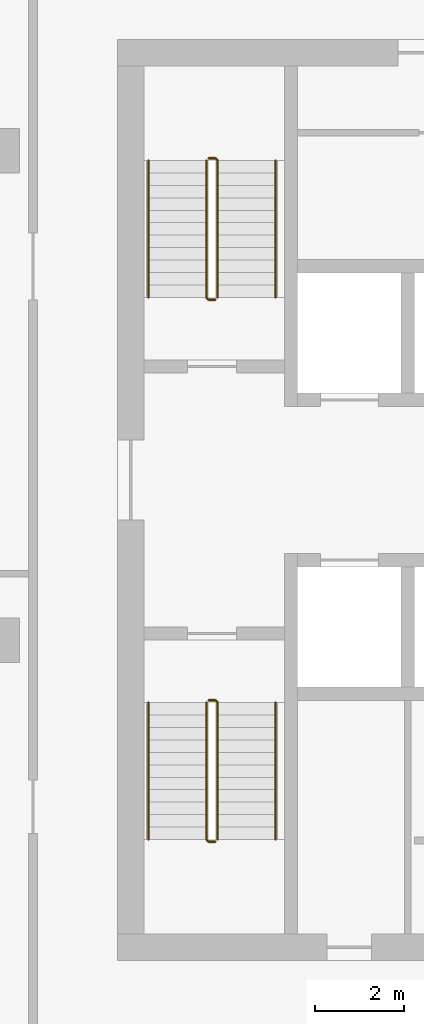
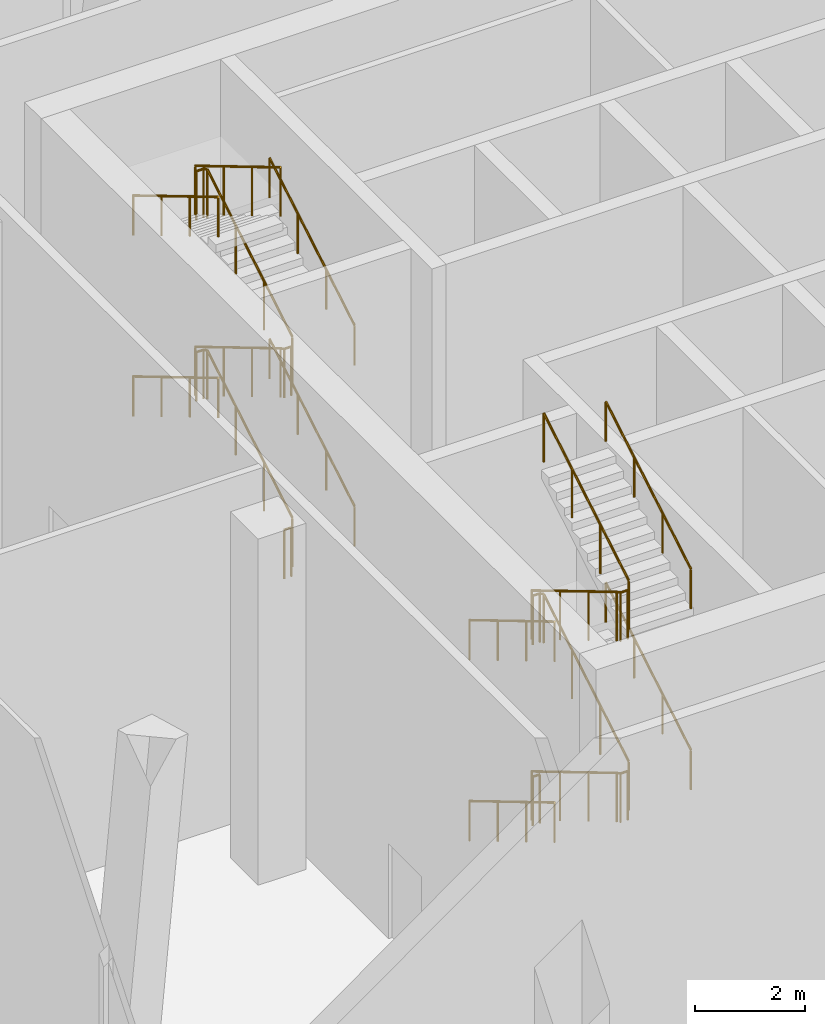
# One storey, part 10 of 13: 18 railings.
"""IFC4 building model written with IfcOpenShell, lengths in metres."""

from ifc_helpers import new_model, si_unit, direction, frame, origin, origin_2d, place, context, subcontext, project, spatial, circle, extrude, material, type_object, element, save


model = new_model("IFC4")

# Units and contexts
model_context = context("Model", 3, precision=1e-05, world=origin(), true_north=direction((0.0, 1.0)))
body_context = subcontext(model_context, "Body", "Model", "MODEL_VIEW")
ifc_project = project(units=[si_unit("LENGTHUNIT", "METRE"), si_unit("AREAUNIT", "SQUARE_METRE"), si_unit("VOLUMEUNIT", "CUBIC_METRE"), si_unit("PLANEANGLEUNIT", "RADIAN"), si_unit("MASSUNIT", "GRAM", prefix="KILO")], contexts=[model_context])

# Site, building, storey
site_placement = place(None, origin())
site = spatial("IfcSite", under=ifc_project, at=site_placement, CompositionType="ELEMENT")
building_placement = place(site_placement, origin())
building = spatial("IfcBuilding", under=site, at=building_placement, Name="Mopane Tessera Tower", CompositionType="ELEMENT")
storey_placement = place(building_placement, frame((0.0, 0.0, 337.39990234375)))
storey = spatial("IfcBuildingStorey", under=building, at=storey_placement, Name="L74", CompositionType="ELEMENT", Elevation=337.39990234375)

# Railings
ifc_material_1 = material(Name="Powder-coated steel balustrade", Category="steel")
railing_type_1 = type_object("IfcRailingType", Name="Escape stair guard 1100 mm", PredefinedType="GUARDRAIL", material=ifc_material_1)
railing_1_placement = place(storey_placement, frame((-12.39990234375, -1.39990234375, 0.166748046875)))
element("IfcRailing", 1, at=railing_1_placement, inside=storey, type_object=railing_type_1, Name="L74 ST1 stair guard 1", PredefinedType="GUARDRAIL", context=body_context, shape_type="SweptSolid", body=[
    extrude(circle(Radius=0.02392578125, at=origin_2d()), frame((0.0, 0.0, 1.076171875), z_axis=(0.0, -0.859308565015, 0.511457515432), x_axis=(1.0, 0.0, 0.0)), (0.0, 0.0, 1.0), 3.58447265625),
    extrude(circle(Radius=0.02392578125, at=origin_2d()), frame((0.0, -3.080078125, 2.9091796875), z_axis=(0.705375805398, -0.708833529934, 0.0), x_axis=(0.708833529934, 0.705375805398, 0.0)), (0.0, 0.0, 1.0), 0.070556640625),
    extrude(circle(Radius=0.02392578125, at=origin_2d()), frame((0.0498046875, -3.130126953125, 2.9091796875), z_axis=(1.0, 0.0, 0.0), x_axis=(0.0, 1.0, 0.0)), (0.0, 0.0, 1.0), 0.150146484375),
    extrude(circle(Radius=0.02099609375, at=origin_2d()), origin(), (0.0, 0.0, 1.0), 1.052001953125),
    extrude(circle(Radius=0.02099609375, at=origin_2d()), frame((0.0, -1.026611328125, 0.611083984375)), (0.0, 0.0, 1.0), 1.052001953125),
    extrude(circle(Radius=0.02099609375, at=origin_2d()), frame((0.0, -2.053466796875, 1.22216796875)), (0.0, 0.0, 1.0), 1.052001953125),
    extrude(circle(Radius=0.02099609375, at=origin_2d()), frame((0.0, -3.080078125, 1.833251953125)), (0.0, 0.0, 1.0), 1.052001953125),
    extrude(circle(Radius=0.02099609375, at=origin_2d()), frame((0.0498046875, -3.130126953125, 1.833251953125)), (0.0, 0.0, 1.0), 1.052001953125),
    extrude(circle(Radius=0.02099609375, at=origin_2d()), frame((0.199951171875, -3.130126953125, 1.833251953125)), (0.0, 0.0, 1.0), 1.052001953125),
])
railing_2_placement = place(storey_placement, frame((-12.14990234375, -4.47998046875, 2.166748046875)))
element("IfcRailing", 2, at=railing_2_placement, inside=storey, type_object=railing_type_1, Name="L74 ST1 stair guard 2", PredefinedType="GUARDRAIL", context=body_context, shape_type="SweptSolid", body=[
    extrude(circle(Radius=0.02392578125, at=origin_2d()), frame((0.0, 0.0, 1.076171875), z_axis=(0.0, 0.859308565015, 0.511457515432), x_axis=(-1.0, 0.0, 0.0)), (0.0, 0.0, 1.0), 3.58447265625),
    extrude(circle(Radius=0.02392578125, at=origin_2d()), frame((0.0, 3.080078125, 2.9091796875), z_axis=(-0.708833529934, 0.705375805398, 0.0), x_axis=(-0.705375805398, -0.708833529934, 0.0)), (0.0, 0.0, 1.0), 0.070556640625),
    extrude(circle(Radius=0.02392578125, at=origin_2d()), frame((-0.050048828125, 3.1298828125, 2.9091796875), z_axis=(-1.0, 0.0, 0.0), x_axis=(0.0, -1.0, 0.0)), (0.0, 0.0, 1.0), 0.150146484375),
    extrude(circle(Radius=0.02099609375, at=origin_2d()), origin(), (0.0, 0.0, 1.0), 1.052001953125),
    extrude(circle(Radius=0.02099609375, at=origin_2d()), frame((0.0, 1.026611328125, 0.611083984375)), (0.0, 0.0, 1.0), 1.052001953125),
    extrude(circle(Radius=0.02099609375, at=origin_2d()), frame((0.0, 2.053466796875, 1.22216796875)), (0.0, 0.0, 1.0), 1.052001953125),
    extrude(circle(Radius=0.02099609375, at=origin_2d()), frame((0.0, 3.080078125, 1.833251953125)), (0.0, 0.0, 1.0), 1.052001953125),
    extrude(circle(Radius=0.02099609375, at=origin_2d()), frame((-0.050048828125, 3.1298828125, 1.833251953125)), (0.0, 0.0, 1.0), 1.052001953125),
    extrude(circle(Radius=0.02099609375, at=origin_2d()), frame((-0.2001953125, 3.1298828125, 1.833251953125)), (0.0, 0.0, 1.0), 1.052001953125),
])
railing_3_placement = place(storey_placement, frame((-12.39990234375, -1.39990234375, 4.166748046875)))
element("IfcRailing", 3, at=railing_3_placement, inside=storey, type_object=railing_type_1, Name="L74 ST1 stair guard 3", PredefinedType="GUARDRAIL", context=body_context, shape_type="SweptSolid", body=[
    extrude(circle(Radius=0.02392578125, at=origin_2d()), frame((0.0, 0.0, 1.076171875), z_axis=(0.0, -0.859308565015, 0.511457515432), x_axis=(1.0, 0.0, 0.0)), (0.0, 0.0, 1.0), 3.58447265625),
    extrude(circle(Radius=0.02392578125, at=origin_2d()), frame((0.0, -3.080078125, 2.9091796875), z_axis=(0.705375805398, -0.708833529934, 0.0), x_axis=(0.708833529934, 0.705375805398, 0.0)), (0.0, 0.0, 1.0), 0.070556640625),
    extrude(circle(Radius=0.02392578125, at=origin_2d()), frame((0.0498046875, -3.130126953125, 2.9091796875), z_axis=(1.0, 0.0, 0.0), x_axis=(0.0, 1.0, 0.0)), (0.0, 0.0, 1.0), 0.150146484375),
    extrude(circle(Radius=0.02099609375, at=origin_2d()), origin(), (0.0, 0.0, 1.0), 1.052001953125),
    extrude(circle(Radius=0.02099609375, at=origin_2d()), frame((0.0, -1.026611328125, 0.611083984375)), (0.0, 0.0, 1.0), 1.052001953125),
    extrude(circle(Radius=0.02099609375, at=origin_2d()), frame((0.0, -2.053466796875, 1.22216796875)), (0.0, 0.0, 1.0), 1.052001953125),
    extrude(circle(Radius=0.02099609375, at=origin_2d()), frame((0.0, -3.080078125, 1.833251953125)), (0.0, 0.0, 1.0), 1.052001953125),
    extrude(circle(Radius=0.02099609375, at=origin_2d()), frame((0.0498046875, -3.130126953125, 1.833251953125)), (0.0, 0.0, 1.0), 1.052001953125),
    extrude(circle(Radius=0.02099609375, at=origin_2d()), frame((0.199951171875, -3.130126953125, 1.833251953125)), (0.0, 0.0, 1.0), 1.052001953125),
])
railing_4_placement = place(storey_placement, frame((-12.14990234375, -4.47998046875, 6.166748046875)))
element("IfcRailing", 4, at=railing_4_placement, inside=storey, type_object=railing_type_1, Name="L74 ST1 stair guard 4", PredefinedType="GUARDRAIL", context=body_context, shape_type="SweptSolid", body=[
    extrude(circle(Radius=0.02392578125, at=origin_2d()), frame((0.0, 0.0, 1.076171875), z_axis=(0.0, 0.859308565015, 0.511457515432), x_axis=(-1.0, 0.0, 0.0)), (0.0, 0.0, 1.0), 3.58447265625),
    extrude(circle(Radius=0.02099609375, at=origin_2d()), origin(), (0.0, 0.0, 1.0), 1.052001953125),
    extrude(circle(Radius=0.02099609375, at=origin_2d()), frame((0.0, 1.026611328125, 0.611083984375)), (0.0, 0.0, 1.0), 1.052001953125),
    extrude(circle(Radius=0.02099609375, at=origin_2d()), frame((0.0, 2.053466796875, 1.22216796875)), (0.0, 0.0, 1.0), 1.052001953125),
    extrude(circle(Radius=0.02099609375, at=origin_2d()), frame((0.0, 3.080078125, 1.833251953125)), (0.0, 0.0, 1.0), 1.052001953125),
])
railing_5_placement = place(storey_placement, frame((-12.35009765625, -1.35009765625, 0.0)))
element("IfcRailing", 5, at=railing_5_placement, inside=storey, type_object=railing_type_1, Name="L74 ST1 stair guard 5", PredefinedType="GUARDRAIL", context=body_context, shape_type="SweptSolid", body=[
    extrude(circle(Radius=0.02392578125, at=origin_2d()), frame((0.0, 0.0, 1.076171875), z_axis=(1.0, 0.0, 0.0), x_axis=(0.0, 1.0, 0.0)), (0.0, 0.0, 1.0), 0.150146484375),
    extrude(circle(Radius=0.02099609375, at=origin_2d()), origin(), (0.0, 0.0, 1.0), 1.052001953125),
    extrude(circle(Radius=0.02099609375, at=origin_2d()), frame((0.150146484375, 0.0, 0.0)), (0.0, 0.0, 1.0), 1.052001953125),
])
railing_6_placement = place(storey_placement, frame((-12.14990234375, 7.699951171875, 0.166748046875)))
element("IfcRailing", 6, at=railing_6_placement, inside=storey, type_object=railing_type_1, Name="L74 ST2 stair guard 1", PredefinedType="GUARDRAIL", context=body_context, shape_type="SweptSolid", body=[
    extrude(circle(Radius=0.02392578125, at=origin_2d()), frame((0.0, 0.0, 1.076171875), z_axis=(0.0, 0.859308565015, 0.511457515432), x_axis=(-1.0, 0.0, 0.0)), (0.0, 0.0, 1.0), 3.58447265625),
    extrude(circle(Radius=0.02392578125, at=origin_2d()), frame((0.0, 3.080078125, 2.9091796875), z_axis=(-0.707106781187, 0.707106781187, 0.0), x_axis=(-0.707106781187, -0.707106781187, 0.0)), (0.0, 0.0, 1.0), 0.07080078125),
    extrude(circle(Radius=0.02392578125, at=origin_2d()), frame((-0.050048828125, 3.130126953125, 2.9091796875), z_axis=(-1.0, 0.0, 0.0), x_axis=(0.0, -1.0, 0.0)), (0.0, 0.0, 1.0), 0.150146484375),
    extrude(circle(Radius=0.02099609375, at=origin_2d()), origin(), (0.0, 0.0, 1.0), 1.052001953125),
    extrude(circle(Radius=0.02099609375, at=origin_2d()), frame((0.0, 1.026611328125, 0.611083984375)), (0.0, 0.0, 1.0), 1.052001953125),
    extrude(circle(Radius=0.02099609375, at=origin_2d()), frame((0.0, 2.053466796875, 1.22216796875)), (0.0, 0.0, 1.0), 1.052001953125),
    extrude(circle(Radius=0.02099609375, at=origin_2d()), frame((0.0, 3.080078125, 1.833251953125)), (0.0, 0.0, 1.0), 1.052001953125),
    extrude(circle(Radius=0.02099609375, at=origin_2d()), frame((-0.050048828125, 3.130126953125, 1.833251953125)), (0.0, 0.0, 1.0), 1.052001953125),
    extrude(circle(Radius=0.02099609375, at=origin_2d()), frame((-0.2001953125, 3.130126953125, 1.833251953125)), (0.0, 0.0, 1.0), 1.052001953125),
])
railing_7_placement = place(storey_placement, frame((-12.39990234375, 10.780029296875, 2.166748046875)))
element("IfcRailing", 7, at=railing_7_placement, inside=storey, type_object=railing_type_1, Name="L74 ST2 stair guard 2", PredefinedType="GUARDRAIL", context=body_context, shape_type="SweptSolid", body=[
    extrude(circle(Radius=0.02392578125, at=origin_2d()), frame((0.0, 0.0, 1.076171875), z_axis=(0.0, -0.859308565015, 0.511457515432), x_axis=(1.0, 0.0, 0.0)), (0.0, 0.0, 1.0), 3.58447265625),
    extrude(circle(Radius=0.02392578125, at=origin_2d()), frame((0.0, -3.080078125, 2.9091796875), z_axis=(0.705375805398, -0.708833529934, 0.0), x_axis=(0.708833529934, 0.705375805398, 0.0)), (0.0, 0.0, 1.0), 0.070556640625),
    extrude(circle(Radius=0.02392578125, at=origin_2d()), frame((0.0498046875, -3.130126953125, 2.9091796875), z_axis=(1.0, 0.0, 0.0), x_axis=(0.0, 1.0, 0.0)), (0.0, 0.0, 1.0), 0.150146484375),
    extrude(circle(Radius=0.02099609375, at=origin_2d()), origin(), (0.0, 0.0, 1.0), 1.052001953125),
    extrude(circle(Radius=0.02099609375, at=origin_2d()), frame((0.0, -1.026611328125, 0.611083984375)), (0.0, 0.0, 1.0), 1.052001953125),
    extrude(circle(Radius=0.02099609375, at=origin_2d()), frame((0.0, -2.053466796875, 1.22216796875)), (0.0, 0.0, 1.0), 1.052001953125),
    extrude(circle(Radius=0.02099609375, at=origin_2d()), frame((0.0, -3.080078125, 1.833251953125)), (0.0, 0.0, 1.0), 1.052001953125),
    extrude(circle(Radius=0.02099609375, at=origin_2d()), frame((0.0498046875, -3.130126953125, 1.833251953125)), (0.0, 0.0, 1.0), 1.052001953125),
    extrude(circle(Radius=0.02099609375, at=origin_2d()), frame((0.199951171875, -3.130126953125, 1.833251953125)), (0.0, 0.0, 1.0), 1.052001953125),
])
railing_8_placement = place(storey_placement, frame((-12.14990234375, 7.699951171875, 4.166748046875)))
element("IfcRailing", 8, at=railing_8_placement, inside=storey, type_object=railing_type_1, Name="L74 ST2 stair guard 3", PredefinedType="GUARDRAIL", context=body_context, shape_type="SweptSolid", body=[
    extrude(circle(Radius=0.02392578125, at=origin_2d()), frame((0.0, 0.0, 1.076171875), z_axis=(0.0, 0.859308565015, 0.511457515432), x_axis=(-1.0, 0.0, 0.0)), (0.0, 0.0, 1.0), 3.58447265625),
    extrude(circle(Radius=0.02392578125, at=origin_2d()), frame((0.0, 3.080078125, 2.9091796875), z_axis=(-0.707106781187, 0.707106781187, 0.0), x_axis=(-0.707106781187, -0.707106781187, 0.0)), (0.0, 0.0, 1.0), 0.07080078125),
    extrude(circle(Radius=0.02392578125, at=origin_2d()), frame((-0.050048828125, 3.130126953125, 2.9091796875), z_axis=(-1.0, 0.0, 0.0), x_axis=(0.0, -1.0, 0.0)), (0.0, 0.0, 1.0), 0.150146484375),
    extrude(circle(Radius=0.02099609375, at=origin_2d()), origin(), (0.0, 0.0, 1.0), 1.052001953125),
    extrude(circle(Radius=0.02099609375, at=origin_2d()), frame((0.0, 1.026611328125, 0.611083984375)), (0.0, 0.0, 1.0), 1.052001953125),
    extrude(circle(Radius=0.02099609375, at=origin_2d()), frame((0.0, 2.053466796875, 1.22216796875)), (0.0, 0.0, 1.0), 1.052001953125),
    extrude(circle(Radius=0.02099609375, at=origin_2d()), frame((0.0, 3.080078125, 1.833251953125)), (0.0, 0.0, 1.0), 1.052001953125),
    extrude(circle(Radius=0.02099609375, at=origin_2d()), frame((-0.050048828125, 3.130126953125, 1.833251953125)), (0.0, 0.0, 1.0), 1.052001953125),
    extrude(circle(Radius=0.02099609375, at=origin_2d()), frame((-0.2001953125, 3.130126953125, 1.833251953125)), (0.0, 0.0, 1.0), 1.052001953125),
])
railing_9_placement = place(storey_placement, frame((-12.39990234375, 10.780029296875, 6.166748046875)))
element("IfcRailing", 9, at=railing_9_placement, inside=storey, type_object=railing_type_1, Name="L74 ST2 stair guard 4", PredefinedType="GUARDRAIL", context=body_context, shape_type="SweptSolid", body=[
    extrude(circle(Radius=0.02392578125, at=origin_2d()), frame((0.0, 0.0, 1.076171875), z_axis=(0.0, -0.859308565015, 0.511457515432), x_axis=(1.0, 0.0, 0.0)), (0.0, 0.0, 1.0), 3.58447265625),
    extrude(circle(Radius=0.02099609375, at=origin_2d()), origin(), (0.0, 0.0, 1.0), 1.052001953125),
    extrude(circle(Radius=0.02099609375, at=origin_2d()), frame((0.0, -1.026611328125, 0.611083984375)), (0.0, 0.0, 1.0), 1.052001953125),
    extrude(circle(Radius=0.02099609375, at=origin_2d()), frame((0.0, -2.053466796875, 1.22216796875)), (0.0, 0.0, 1.0), 1.052001953125),
    extrude(circle(Radius=0.02099609375, at=origin_2d()), frame((0.0, -3.080078125, 1.833251953125)), (0.0, 0.0, 1.0), 1.052001953125),
])
railing_10_placement = place(storey_placement, frame((-12.199951171875, 7.64990234375, 0.0)))
element("IfcRailing", 10, at=railing_10_placement, inside=storey, type_object=railing_type_1, Name="L74 ST2 stair guard 5", PredefinedType="GUARDRAIL", context=body_context, shape_type="SweptSolid", body=[
    extrude(circle(Radius=0.02392578125, at=origin_2d()), frame((0.0, 0.0, 1.076171875), z_axis=(-1.0, 0.0, 0.0), x_axis=(0.0, -1.0, 0.0)), (0.0, 0.0, 1.0), 0.150146484375),
    extrude(circle(Radius=0.02099609375, at=origin_2d()), origin(), (0.0, 0.0, 1.0), 1.052001953125),
    extrude(circle(Radius=0.02099609375, at=origin_2d()), frame((-0.150146484375, 0.0, 0.0)), (0.0, 0.0, 1.0), 1.052001953125),
])
ifc_material_2 = material(Name="Powder-coated steel balustrade", Category="steel")
railing_type_2 = type_object("IfcRailingType", Name="Escape stair handrail 900 mm", PredefinedType="HANDRAIL", material=ifc_material_2)
railing_11_placement = place(storey_placement, frame((-13.699951171875, -1.39990234375, 0.166748046875)))
element("IfcRailing", 11, at=railing_11_placement, inside=storey, type_object=railing_type_2, Name="L74 ST1 stair handrail 1", PredefinedType="HANDRAIL", context=body_context, shape_type="SweptSolid", body=[
    extrude(circle(Radius=0.02392578125, at=origin_2d()), frame((0.0, 0.0, 0.8759765625), z_axis=(0.0, -0.859308565015, 0.511457515432), x_axis=(1.0, 0.0, 0.0)), (0.0, 0.0, 1.0), 3.58447265625),
    extrude(circle(Radius=0.02099609375, at=origin_2d()), origin(), (0.0, 0.0, 1.0), 0.851806640625),
    extrude(circle(Radius=0.02099609375, at=origin_2d()), frame((0.0, -1.026611328125, 0.611083984375)), (0.0, 0.0, 1.0), 0.851806640625),
    extrude(circle(Radius=0.02099609375, at=origin_2d()), frame((0.0, -2.053466796875, 1.22216796875)), (0.0, 0.0, 1.0), 0.851806640625),
    extrude(circle(Radius=0.02099609375, at=origin_2d()), frame((0.0, -3.080078125, 1.833251953125)), (0.0, 0.0, 1.0), 0.851806640625),
])
railing_12_placement = place(storey_placement, frame((-10.85009765625, -4.47998046875, 2.166748046875)))
element("IfcRailing", 12, at=railing_12_placement, inside=storey, type_object=railing_type_2, Name="L74 ST1 stair handrail 2", PredefinedType="HANDRAIL", context=body_context, shape_type="SweptSolid", body=[
    extrude(circle(Radius=0.02392578125, at=origin_2d()), frame((0.0, 0.0, 0.8759765625), z_axis=(0.0, 0.859308565015, 0.511457515432), x_axis=(-1.0, 0.0, 0.0)), (0.0, 0.0, 1.0), 3.58447265625),
    extrude(circle(Radius=0.02099609375, at=origin_2d()), origin(), (0.0, 0.0, 1.0), 0.851806640625),
    extrude(circle(Radius=0.02099609375, at=origin_2d()), frame((0.0, 1.026611328125, 0.611083984375)), (0.0, 0.0, 1.0), 0.851806640625),
    extrude(circle(Radius=0.02099609375, at=origin_2d()), frame((0.0, 2.053466796875, 1.22216796875)), (0.0, 0.0, 1.0), 0.851806640625),
    extrude(circle(Radius=0.02099609375, at=origin_2d()), frame((0.0, 3.080078125, 1.833251953125)), (0.0, 0.0, 1.0), 0.851806640625),
])
railing_13_placement = place(storey_placement, frame((-13.699951171875, -1.39990234375, 4.166748046875)))
element("IfcRailing", 13, at=railing_13_placement, inside=storey, type_object=railing_type_2, Name="L74 ST1 stair handrail 3", PredefinedType="HANDRAIL", context=body_context, shape_type="SweptSolid", body=[
    extrude(circle(Radius=0.02392578125, at=origin_2d()), frame((0.0, 0.0, 0.8759765625), z_axis=(0.0, -0.859308565015, 0.511457515432), x_axis=(1.0, 0.0, 0.0)), (0.0, 0.0, 1.0), 3.58447265625),
    extrude(circle(Radius=0.02099609375, at=origin_2d()), origin(), (0.0, 0.0, 1.0), 0.851806640625),
    extrude(circle(Radius=0.02099609375, at=origin_2d()), frame((0.0, -1.026611328125, 0.611083984375)), (0.0, 0.0, 1.0), 0.851806640625),
    extrude(circle(Radius=0.02099609375, at=origin_2d()), frame((0.0, -2.053466796875, 1.22216796875)), (0.0, 0.0, 1.0), 0.851806640625),
    extrude(circle(Radius=0.02099609375, at=origin_2d()), frame((0.0, -3.080078125, 1.833251953125)), (0.0, 0.0, 1.0), 0.851806640625),
])
for number, where, name in (
    (14, (-10.85009765625, -4.47998046875, 6.166748046875), "L74 ST1 stair handrail 4"),
    (15, (-10.85009765625, 7.699951171875, 0.166748046875), "L74 ST2 stair handrail 1"),
):
    element("IfcRailing", number, at=place(storey_placement, frame(where)), inside=storey, type_object=railing_type_2, Name=name, PredefinedType="HANDRAIL", context=body_context, shape_type="SweptSolid", body=[
        extrude(circle(Radius=0.02392578125, at=origin_2d()), frame((0.0, 0.0, 0.8759765625), z_axis=(0.0, 0.859308565015, 0.511457515432), x_axis=(-1.0, 0.0, 0.0)), (0.0, 0.0, 1.0), 3.58447265625),
        extrude(circle(Radius=0.02099609375, at=origin_2d()), origin(), (0.0, 0.0, 1.0), 0.851806640625),
        extrude(circle(Radius=0.02099609375, at=origin_2d()), frame((0.0, 1.026611328125, 0.611083984375)), (0.0, 0.0, 1.0), 0.851806640625),
        extrude(circle(Radius=0.02099609375, at=origin_2d()), frame((0.0, 2.053466796875, 1.22216796875)), (0.0, 0.0, 1.0), 0.851806640625),
        extrude(circle(Radius=0.02099609375, at=origin_2d()), frame((0.0, 3.080078125, 1.833251953125)), (0.0, 0.0, 1.0), 0.851806640625),
    ])
railing_14_placement = place(storey_placement, frame((-13.699951171875, 10.780029296875, 2.166748046875)))
element("IfcRailing", 16, at=railing_14_placement, inside=storey, type_object=railing_type_2, Name="L74 ST2 stair handrail 2", PredefinedType="HANDRAIL", context=body_context, shape_type="SweptSolid", body=[
    extrude(circle(Radius=0.02392578125, at=origin_2d()), frame((0.0, 0.0, 0.8759765625), z_axis=(0.0, -0.859308565015, 0.511457515432), x_axis=(1.0, 0.0, 0.0)), (0.0, 0.0, 1.0), 3.58447265625),
    extrude(circle(Radius=0.02099609375, at=origin_2d()), origin(), (0.0, 0.0, 1.0), 0.851806640625),
    extrude(circle(Radius=0.02099609375, at=origin_2d()), frame((0.0, -1.026611328125, 0.611083984375)), (0.0, 0.0, 1.0), 0.851806640625),
    extrude(circle(Radius=0.02099609375, at=origin_2d()), frame((0.0, -2.053466796875, 1.22216796875)), (0.0, 0.0, 1.0), 0.851806640625),
    extrude(circle(Radius=0.02099609375, at=origin_2d()), frame((0.0, -3.080078125, 1.833251953125)), (0.0, 0.0, 1.0), 0.851806640625),
])
railing_15_placement = place(storey_placement, frame((-10.85009765625, 7.699951171875, 4.166748046875)))
element("IfcRailing", 17, at=railing_15_placement, inside=storey, type_object=railing_type_2, Name="L74 ST2 stair handrail 3", PredefinedType="HANDRAIL", context=body_context, shape_type="SweptSolid", body=[
    extrude(circle(Radius=0.02392578125, at=origin_2d()), frame((0.0, 0.0, 0.8759765625), z_axis=(0.0, 0.859308565015, 0.511457515432), x_axis=(-1.0, 0.0, 0.0)), (0.0, 0.0, 1.0), 3.58447265625),
    extrude(circle(Radius=0.02099609375, at=origin_2d()), origin(), (0.0, 0.0, 1.0), 0.851806640625),
    extrude(circle(Radius=0.02099609375, at=origin_2d()), frame((0.0, 1.026611328125, 0.611083984375)), (0.0, 0.0, 1.0), 0.851806640625),
    extrude(circle(Radius=0.02099609375, at=origin_2d()), frame((0.0, 2.053466796875, 1.22216796875)), (0.0, 0.0, 1.0), 0.851806640625),
    extrude(circle(Radius=0.02099609375, at=origin_2d()), frame((0.0, 3.080078125, 1.833251953125)), (0.0, 0.0, 1.0), 0.851806640625),
])
railing_16_placement = place(storey_placement, frame((-13.699951171875, 10.780029296875, 6.166748046875)))
element("IfcRailing", 18, at=railing_16_placement, inside=storey, type_object=railing_type_2, Name="L74 ST2 stair handrail 4", PredefinedType="HANDRAIL", context=body_context, shape_type="SweptSolid", body=[
    extrude(circle(Radius=0.02392578125, at=origin_2d()), frame((0.0, 0.0, 0.8759765625), z_axis=(0.0, -0.859308565015, 0.511457515432), x_axis=(1.0, 0.0, 0.0)), (0.0, 0.0, 1.0), 3.58447265625),
    extrude(circle(Radius=0.02099609375, at=origin_2d()), origin(), (0.0, 0.0, 1.0), 0.851806640625),
    extrude(circle(Radius=0.02099609375, at=origin_2d()), frame((0.0, -1.026611328125, 0.611083984375)), (0.0, 0.0, 1.0), 0.851806640625),
    extrude(circle(Radius=0.02099609375, at=origin_2d()), frame((0.0, -2.053466796875, 1.22216796875)), (0.0, 0.0, 1.0), 0.851806640625),
    extrude(circle(Radius=0.02099609375, at=origin_2d()), frame((0.0, -3.080078125, 1.833251953125)), (0.0, 0.0, 1.0), 0.851806640625),
])

save(model, "model.ifc")
